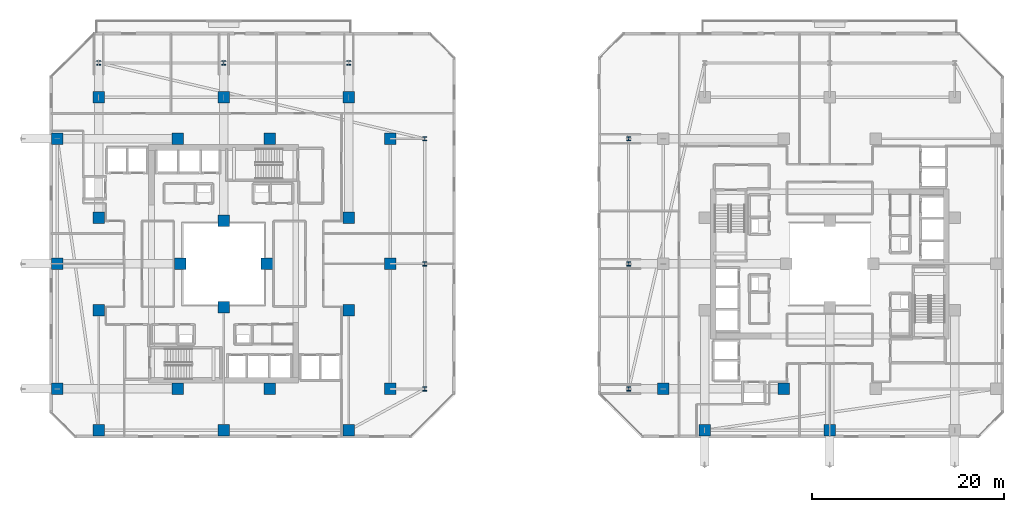
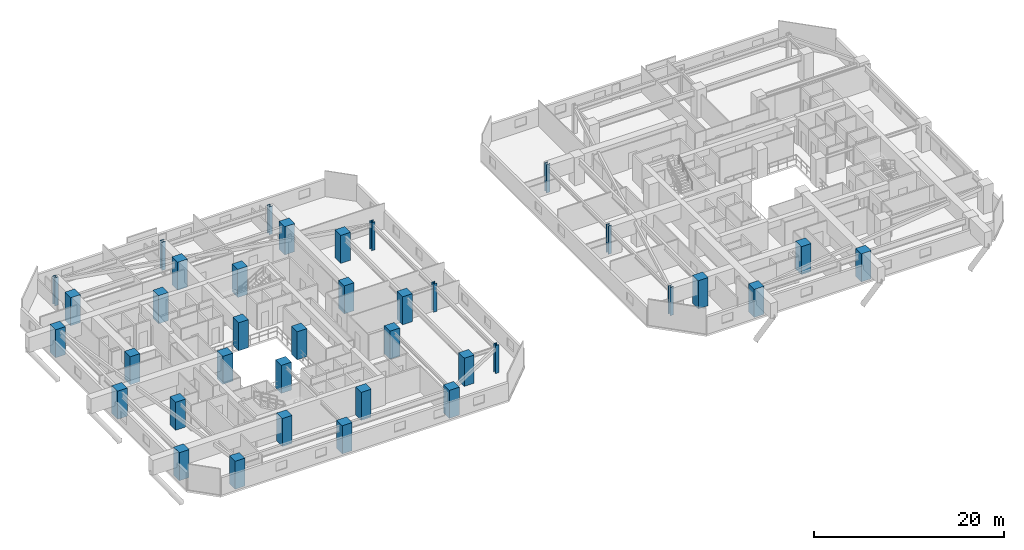
# One storey, part 1 of 36: 37 columns.
"""IFC4 building model written with IfcOpenShell, lengths in metres."""

from ifc_helpers import new_model, si_unit, direction, frame, origin, origin_2d, place, context, subcontext, project, spatial, rectangle, i_section, extrude, material, material_profile, profile_set, type_object, element, save


model = new_model("IFC4")

# Units and contexts
model_context = context("Model", 3, precision=1e-05, world=origin(), true_north=direction((0.0, 1.0)))
body_context = subcontext(model_context, "Body", "Model", "MODEL_VIEW")
ifc_project = project(units=[si_unit("LENGTHUNIT", "METRE"), si_unit("AREAUNIT", "SQUARE_METRE"), si_unit("VOLUMEUNIT", "CUBIC_METRE"), si_unit("PLANEANGLEUNIT", "RADIAN"), si_unit("MASSUNIT", "GRAM", prefix="KILO")], contexts=[model_context])

# Site, building, storey
site_placement = place(None, origin())
site = spatial("IfcSite", under=ifc_project, at=site_placement, CompositionType="ELEMENT")
building_placement = place(site_placement, origin())
building = spatial("IfcBuilding", under=site, at=building_placement, Name="Thornwick Lancets Civic Towers", CompositionType="ELEMENT")
storey_placement = place(building_placement, frame((0.0, 0.0, 94.5)))
storey = spatial("IfcBuildingStorey", under=building, at=storey_placement, Name="L24", CompositionType="ELEMENT", Elevation=94.5)

# Columns
ifc_material_1 = material(Name="Concrete C60/75", Category="concrete")
ifc_material_profile_1 = material_profile(ifc_material_1, rectangle(XDim=1.199951171875, YDim=1.199951171875, at=origin_2d()), Name="RC 1200x1200")
ifc_profile_set_1 = profile_set([ifc_material_profile_1], Name="Concrete C60/75")
column_type_1 = type_object("IfcColumnType", Name="COL_RC_1200", PredefinedType="COLUMN", material=ifc_profile_set_1)
for number, where, z_axis, x_axis, name in (
    (1, (12.5, 9.699951171875, 0.0), (0.0, 0.0, 1.0), (1.0, 0.0, 0.0), "L24 Spine Mega-Column A01"),
    (2, (25.5, 9.699951171875, 0.0), (0.0, 0.0, 1.0), (1.0, 0.0, 0.0), "L24 Spine Mega-Column A02"),
    (3, (38.5, 9.699951171875, 0.0), (0.0, 0.0, 1.0), (1.0, 0.0, 0.0), "L24 Spine Mega-Column A03"),
    (4, (42.800048828125, 14.0, 0.0), (0.0, 0.0, 1.0), (1.0, 0.0, 0.0), "L24 Spine Mega-Column A04"),
    (5, (42.800048828125, 27.0, 0.0), (0.0, 0.0, 1.0), (1.0, 0.0, 0.0), "L24 Spine Mega-Column A05"),
    (6, (42.800048828125, 40.0, 0.0), (0.0, 0.0, 1.0), (1.0, 0.0, 0.0), "L24 Spine Mega-Column A06"),
    (7, (12.5, 44.300048828125, 0.0), (0.0, 0.0, 1.0), (1.0, 0.0, 0.0), "L24 Spine Mega-Column A07"),
    (8, (25.5, 44.300048828125, 0.0), (0.0, 0.0, 1.0), (1.0, 0.0, 0.0), "L24 Spine Mega-Column A08"),
    (9, (38.5, 44.300048828125, 0.0), (0.0, 0.0, 1.0), (1.0, 0.0, 0.0), "L24 Spine Mega-Column A09"),
    (10, (8.199951171875, 14.0, 0.0), (0.0, 0.0, 1.0), (1.0, 0.0, 0.0), "L24 Spine Mega-Column A10"),
    (11, (8.199951171875, 27.0, 0.0), (0.0, 0.0, 1.0), (1.0, 0.0, 0.0), "L24 Spine Mega-Column A11"),
    (12, (8.199951171875, 40.0, 0.0), (0.0, 0.0, 1.0), (1.0, 0.0, 0.0), "L24 Spine Mega-Column A12"),
    (13, (12.5, 22.199951171875, 0.0), (0.0, 0.0, 1.0), (1.0, 0.0, 0.0), "L24 Spine Mega-Column A13"),
    (14, (38.5, 22.199951171875, 0.0), (0.0, 0.0, 1.0), (1.0, 0.0, 0.0), "L24 Spine Mega-Column A14"),
    (15, (12.5, 31.800048828125, 0.0), (0.0, 0.0, 1.0), (1.0, 0.0, 0.0), "L24 Spine Mega-Column A15"),
    (16, (38.5, 31.800048828125, 0.0), (0.0, 0.0, 1.0), (1.0, 0.0, 0.0), "L24 Spine Mega-Column A16"),
    (17, (20.699951171875, 14.0, 0.0), (0.0, 0.0, 1.0), (1.0, 0.0, 0.0), "L24 Spine Mega-Column A17"),
    (18, (30.300048828125, 14.0, 0.0), (0.0, 0.0, 1.0), (1.0, 0.0, 0.0), "L24 Spine Mega-Column A18"),
    (19, (20.699951171875, 40.0, 0.0), (0.0, 0.0, 1.0), (1.0, 0.0, 0.0), "L24 Spine Mega-Column A19"),
    (20, (30.300048828125, 40.0, 0.0), (0.0, 0.0, 1.0), (1.0, 0.0, 0.0), "L24 Spine Mega-Column A20"),
    (21, (25.5, 22.5, 0.0), (0.0, 0.0, 1.0), (1.0, 0.0, 0.0), "L24 Spine Mega-Column A21"),
    (22, (25.5, 31.5, 0.0), (0.0, 0.0, 1.0), (1.0, 0.0, 0.0), "L24 Spine Mega-Column A22"),
    (23, (21.0, 27.0, 0.0), (0.0, 0.0, 1.0), (1.0, 0.0, 0.0), "L24 Spine Mega-Column A23"),
    (24, (30.0, 27.0, 0.0), (0.0, 0.0, 1.0), (1.0, 0.0, 0.0), "L24 Spine Mega-Column A24"),
    (25, (71.199951171875, 14.0, 0.0), (0.0, 0.0, 1.0), (1.0, 0.0, 0.0), "L24 Spine Mega-Column B07"),
    (26, (88.5, 9.699951171875, 0.0), (0.0, 0.0, 1.0), (1.0, 0.0, 0.0), "L24 Spine Mega-Column B11"),
    (27, (75.5, 9.699951171875, 0.0), (0.0, 0.0, 1.0), (1.0, 0.0, 0.0), "L24 Spine Mega-Column B12"),
    (28, (83.699951171875, 14.0, 0.0), (0.0, 0.0, 1.0), (1.0, 0.0, 0.0), "L24 Spine Mega-Column B15"),
):
    element("IfcColumn", number, at=place(storey_placement, frame(where, z_axis=z_axis, x_axis=x_axis)), inside=storey, type_object=column_type_1, Name=name, PredefinedType="COLUMN", context=body_context, shape_type="SweptSolid", body=[
        extrude(rectangle(XDim=1.199951171875, YDim=1.199951171875, at=origin_2d()), origin(), (0.0, 0.0, 1.0), 3.60009765625),
    ])
ifc_material_2 = material(Name="Steel S460M", Category="steel")
ifc_material_profile_2 = material_profile(ifc_material_2, i_section(OverallWidth=0.41845703125, OverallDepth=0.45556640625, WebThickness=0.0419921875, FlangeThickness=0.0673828125, FilletRadius=0.01513671875, at=origin_2d()), Name="UKC 356x406x551")
ifc_profile_set_2 = profile_set([ifc_material_profile_2], Name="Steel S460M")
column_type_2 = type_object("IfcColumnType", Name="COL_UKC_551", PredefinedType="COLUMN", material=ifc_profile_set_2)
for number, where, z_axis, x_axis, name in (
    (29, (46.39990234375, 14.0, 0.0), (0.0, 0.0, 1.0), (1.0, 0.0, 0.0), "L24 Block Perimeter Column A04"),
    (30, (46.39990234375, 27.0, 0.0), (0.0, 0.0, 1.0), (1.0, 0.0, 0.0), "L24 Block Perimeter Column A05"),
    (31, (46.39990234375, 40.0, 0.0), (0.0, 0.0, 1.0), (1.0, 0.0, 0.0), "L24 Block Perimeter Column A06"),
    (32, (12.5, 47.89990234375, 0.0), (0.0, 0.0, 1.0), (1.0, 0.0, 0.0), "L24 Block Perimeter Column A07"),
    (33, (25.5, 47.89990234375, 0.0), (0.0, 0.0, 1.0), (1.0, 0.0, 0.0), "L24 Block Perimeter Column A08"),
    (34, (38.5, 47.89990234375, 0.0), (0.0, 0.0, 1.0), (1.0, 0.0, 0.0), "L24 Block Perimeter Column A09"),
    (35, (67.60009765625, 14.0, 0.0), (0.0, 0.0, 1.0), (1.0, 0.0, 0.0), "L24 Block Perimeter Column B07"),
    (36, (67.60009765625, 27.0, 0.0), (0.0, 0.0, 1.0), (1.0, 0.0, 0.0), "L24 Block Perimeter Column B08"),
    (37, (67.60009765625, 40.0, 0.0), (0.0, 0.0, 1.0), (1.0, 0.0, 0.0), "L24 Block Perimeter Column B09"),
):
    element("IfcColumn", number, at=place(storey_placement, frame(where, z_axis=z_axis, x_axis=x_axis)), inside=storey, type_object=column_type_2, Name=name, PredefinedType="COLUMN", context=body_context, shape_type="SweptSolid", body=[
        extrude(i_section(OverallWidth=0.41845703125, OverallDepth=0.45556640625, WebThickness=0.0419921875, FlangeThickness=0.0673828125, FilletRadius=0.01513671875, at=origin_2d()), origin(), (0.0, 0.0, 1.0), 3.60009765625),
    ])

save(model, "model.ifc")
